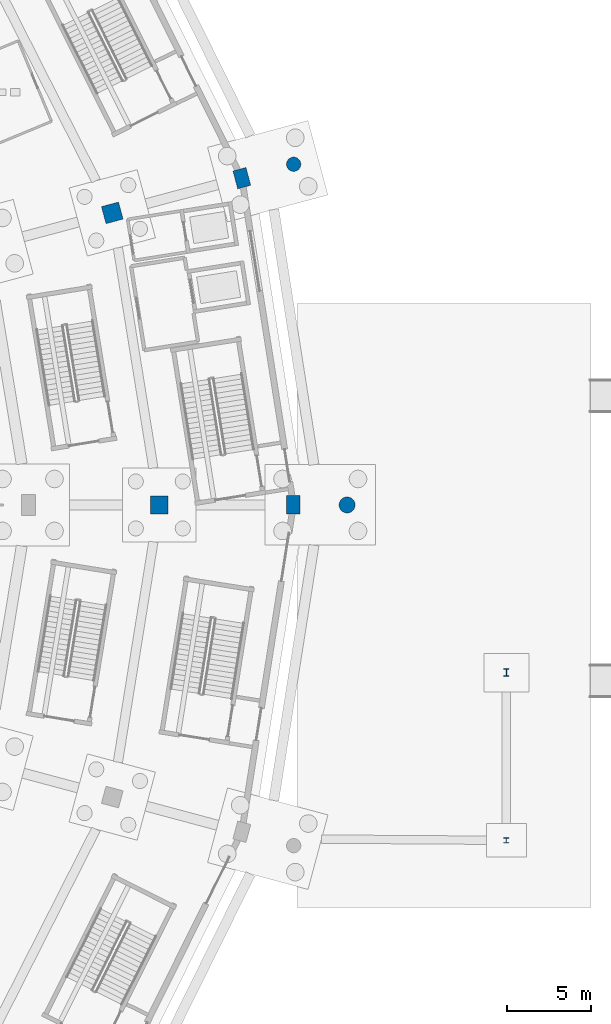
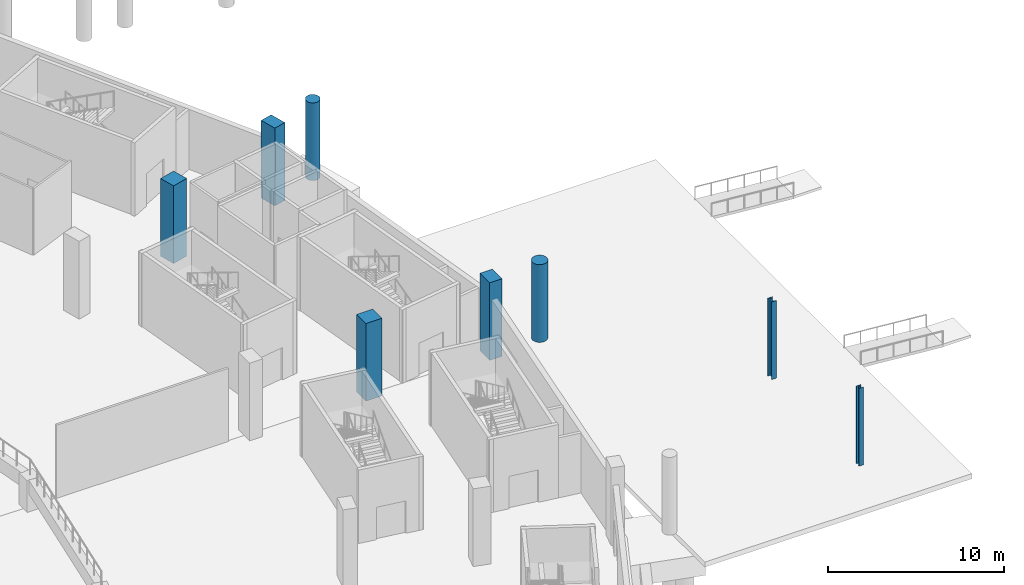
# One storey, part 21 of 103: 8 columns.
"""IFC4 building model written with IfcOpenShell, lengths in metres."""

import ifcopenshell
import ifcopenshell.guid

model = None  # the IFC model being written
_history = None  # IfcOwnerHistory: only IFC2X3 demands one
_inside = {}  # id of a spatial element -> (the spatial element, [elements in it])
_under = {}  # id of a project, library or spatial element -> (it, [spatial elements below it])
_declared = {}  # id of a project -> (the project, [libraries it declares])
_typed = {}  # id of a type object -> (the type object, [elements of that type])
_made_of = {}  # id of a material, layer set ... -> (it, [elements and type objects made of it])


def new_model(schema):
    """Start an empty IFC model of exactly this schema.

    Asked for "IFC4X3", IfcOpenShell would pick the latest addendum, in which some entities
    have other attributes; the version numbers below select the first issue.
    IFC2X3 requires an IfcOwnerHistory on every rooted entity: one is made here for all.
    """
    global model, _history
    if schema == "IFC4X3":
        model = ifcopenshell.file(schema_version=(4, 3, 0, 0))
    else:
        model = ifcopenshell.file(schema=schema)
    _inside.clear()
    _under.clear()
    _declared.clear()
    _typed.clear()
    _made_of.clear()
    _history = None
    if model.schema == "IFC2X3":
        org = make("IfcOrganization", Name="unknown")
        user = make(
            "IfcPersonAndOrganization",
            ThePerson=make("IfcPerson", FamilyName="unknown"),
            TheOrganization=org,
        )
        app = make(
            "IfcApplication",
            ApplicationDeveloper=org,
            Version="unknown",
            ApplicationFullName="unknown",
            ApplicationIdentifier="unknown",
        )
        _history = make(
            "IfcOwnerHistory",
            OwningUser=user,
            OwningApplication=app,
            ChangeAction="ADDED",
            CreationDate=0,
        )
    return model


def make(cls, **values):
    """One entity of the class cls with the attributes given. An attribute that is None is left unset."""
    return model.create_entity(
        cls, **{name: value for name, value in values.items() if value is not None}
    )


def rooted(cls, **values):
    """An entity with a GlobalId (a new one), such as an element, a storey or a relation."""
    return make(cls, GlobalId=ifcopenshell.guid.new(), OwnerHistory=_history, **values)


def si_unit(unit_type, name, prefix=None):
    """IfcSIUnit, for example si_unit("LENGTHUNIT", "METRE", prefix="MILLI")."""
    return make("IfcSIUnit", UnitType=unit_type, Prefix=prefix, Name=name)


def assignment(units):
    """IfcUnitAssignment: the units of a project."""
    return None if units is None else make("IfcUnitAssignment", Units=units)


def point(xyz):
    """IfcCartesianPoint."""
    return None if xyz is None else make("IfcCartesianPoint", Coordinates=xyz)


def direction(xyz):
    """IfcDirection."""
    return None if xyz is None else make("IfcDirection", DirectionRatios=xyz)


def frame(location, z_axis=None, x_axis=None):
    """IfcAxis2Placement3D, a coordinate frame: its origin and axes. An axis left out is left unset."""
    return make(
        "IfcAxis2Placement3D",
        Location=point(location),
        Axis=direction(z_axis),
        RefDirection=direction(x_axis),
    )


def frame_2d(location, x_axis=None):
    """IfcAxis2Placement2D, a coordinate frame in the plane: its origin and x axis."""
    return make(
        "IfcAxis2Placement2D", Location=point(location), RefDirection=direction(x_axis)
    )


def origin():
    """The frame at (0, 0, 0) with its axes left unset."""
    return frame((0.0, 0.0, 0.0))


def origin_2d():
    """The frame at (0, 0) in the plane with its x axis left unset."""
    return frame_2d((0.0, 0.0))


def place(relative_to, where):
    """IfcLocalPlacement: puts the frame where relative to a parent placement (None: the world)."""
    return make(
        "IfcLocalPlacement", PlacementRelTo=relative_to, RelativePlacement=where
    )


def context(
    kind, dimensions, precision=None, world=None, true_north=None, identifier=None
):
    """IfcGeometricRepresentationContext, for example the 3D "Model" context."""
    return make(
        "IfcGeometricRepresentationContext",
        ContextIdentifier=identifier,
        ContextType=kind,
        CoordinateSpaceDimension=dimensions,
        Precision=precision,
        WorldCoordinateSystem=world,
        TrueNorth=true_north,
    )


def subcontext(parent, identifier, kind, view, scale=None):
    """IfcGeometricRepresentationSubContext, for example "Body" below "Model"."""
    return make(
        "IfcGeometricRepresentationSubContext",
        ContextIdentifier=identifier,
        ContextType=kind,
        ParentContext=parent,
        TargetScale=scale,
        TargetView=view,
    )


def project(units=None, contexts=None):
    """IfcProject with its units and contexts."""
    return rooted(
        "IfcProject",
        Name="project",
        RepresentationContexts=contexts,
        UnitsInContext=assignment(units),
    )


def spatial(cls, under=None, at=None, **own):
    """A site, building, storey or space (cls), placed at a placement, below another one or the project."""
    s = rooted(cls, ObjectPlacement=at, **own)
    if under is not None:
        _under.setdefault(under.id(), (under, []))[1].append(s)
    return s


def profile(cls, at=None, kind="AREA", **sizes):
    """A parametric profile (cls). Its sizes go by their IFC names, for example OverallWidth=200.0."""
    return make(cls, ProfileType=kind, Position=at, **sizes)


def rectangle(**sizes):
    """IfcRectangleProfileDef."""
    return profile("IfcRectangleProfileDef", **sizes)


def circle(**sizes):
    """IfcCircleProfileDef."""
    return profile("IfcCircleProfileDef", **sizes)


def i_section(**sizes):
    """IfcIShapeProfileDef."""
    return profile("IfcIShapeProfileDef", **sizes)


def extrude(swept, where, along, depth):
    """IfcExtrudedAreaSolid: the profile swept, set in the frame where, extruded along a direction by depth."""
    return make(
        "IfcExtrudedAreaSolid",
        SweptArea=swept,
        Position=where,
        ExtrudedDirection=direction(along),
        Depth=depth,
    )


def shape(context_of_items, identifier, shape_type, items):
    """IfcShapeRepresentation: the items that make up one representation, for example the "Body"."""
    return make(
        "IfcShapeRepresentation",
        ContextOfItems=context_of_items,
        RepresentationIdentifier=identifier,
        RepresentationType=shape_type,
        Items=items,
    )


def material(Name=None, Category=None):
    """IfcMaterial."""
    return make("IfcMaterial", Name=Name, Category=Category)


def material_profile(
    of_material, cross_section, Name=None, Category=None, Priority=None
):
    """IfcMaterialProfile: a cross section and its material."""
    return make(
        "IfcMaterialProfile",
        Name=Name,
        Material=of_material,
        Profile=cross_section,
        Priority=Priority,
        Category=Category,
    )


def profile_set(profiles, Name=None, composite=None):
    """IfcMaterialProfileSet."""
    return make(
        "IfcMaterialProfileSet",
        Name=Name,
        MaterialProfiles=profiles,
        CompositeProfile=composite,
    )


def made_of(thing, what):
    """Note that an element or type object is made of a material, layer set ...; save() writes the relation."""
    if what is not None:
        _made_of.setdefault(what.id(), (what, []))[1].append(thing)
    return thing


def type_object(cls, material=None, **own):
    """A type object (cls), such as IfcWallType, which elements share."""
    return made_of(rooted(cls, **own), material)


def element(
    cls,
    number,
    at=None,
    inside=None,
    cuts=None,
    type_object=None,
    material=None,
    context=None,
    identifier="Body",
    shape_type=None,
    held_by="IfcProductDefinitionShape",
    body=None,
    shapes=None,
    **own,
):
    """One element of the class cls, such as IfcWall. Its Tag is "e" and its number.

    at: its placement. inside: the storey or other place that contains it. cuts: it is an
    opening in that element (IfcRelVoidsElement). A single representation is given by context,
    identifier, shape_type and body (its items); several are given by shapes. held_by: the class
    of the entity that holds the representations. save() writes the other relations.
    """
    e = rooted(cls, Tag="e%d" % number, ObjectPlacement=at, **own)
    if body is not None:
        shapes = [shape(context, identifier, shape_type, body)]
    if shapes is not None:
        e.Representation = make(held_by, Representations=shapes)
    if inside is not None:
        _inside.setdefault(inside.id(), (inside, []))[1].append(e)
    if cuts is not None:
        rooted(
            "IfcRelVoidsElement", RelatingBuildingElement=cuts, RelatedOpeningElement=e
        )
    if type_object is not None:
        _typed.setdefault(type_object.id(), (type_object, []))[1].append(e)
    return made_of(e, material)


def aggregate(whole, parts):
    """IfcRelAggregates: a whole, such as a stair, and the parts it consists of."""
    return rooted("IfcRelAggregates", RelatingObject=whole, RelatedObjects=parts)


def save(model, path):
    """Write the relations noted so far, then the file.

    IfcRelAggregates (storeys below a building ...), IfcRelContainedInSpatialStructure (elements
    in a storey), IfcRelDefinesByType, IfcRelAssociatesMaterial and IfcRelDeclares: one each for
    every whole, place, type object, material and project.
    """
    for whole, parts in _under.values():
        aggregate(whole, parts)
    for where, things in _inside.values():
        rooted(
            "IfcRelContainedInSpatialStructure",
            RelatedElements=things,
            RelatingStructure=where,
        )
    for kind, things in _typed.values():
        rooted("IfcRelDefinesByType", RelatedObjects=things, RelatingType=kind)
    for what, things in _made_of.values():
        rooted("IfcRelAssociatesMaterial", RelatedObjects=things, RelatingMaterial=what)
    for by, libraries in _declared.values():
        rooted("IfcRelDeclares", RelatingContext=by, RelatedDefinitions=libraries)
    model.write(path)


model = new_model("IFC4")

# Units and contexts
model_context = context("Model", 3, precision=1e-05, world=origin(), true_north=direction((0.0, 1.0)))
body_context = subcontext(model_context, "Body", "Model", "MODEL_VIEW")
ifc_project = project(units=[si_unit("LENGTHUNIT", "METRE"), si_unit("AREAUNIT", "SQUARE_METRE"), si_unit("VOLUMEUNIT", "CUBIC_METRE"), si_unit("PLANEANGLEUNIT", "RADIAN"), si_unit("MASSUNIT", "GRAM", prefix="KILO")], contexts=[model_context])

# Site, building, storey
site_placement = place(None, origin())
site = spatial("IfcSite", under=ifc_project, at=site_placement, CompositionType="ELEMENT")
building_placement = place(site_placement, origin())
building = spatial("IfcBuilding", under=site, at=building_placement, Name="Zevraka Park Crest Stadium", CompositionType="ELEMENT")
storey_placement = place(building_placement, origin())
storey = spatial("IfcBuildingStorey", under=building, at=storey_placement, Name="L00", CompositionType="ELEMENT", Elevation=0.0)

# Columns
ifc_material_1 = material(Name="Concrete C40/50", Category="concrete")
ifc_material_profile_1 = material_profile(ifc_material_1, rectangle(XDim=0.800048828125, YDim=1.10009765625, at=origin_2d()), Name="RC 1100x800")
ifc_profile_set_1 = profile_set([ifc_material_profile_1], Name="Concrete C40/50")
column_type_1 = type_object("IfcColumnType", Name="C02", PredefinedType="COLUMN", material=ifc_profile_set_1)
for number, where, z_axis, x_axis, name in (
    (1, (202.300048828125, 92.0, 0.0), (0.0, 0.0, 1.0), (1.0, 0.0, 0.0), "Perimeter Ring Column C02 L00-D-00"),
    (2, (199.222900390625, 111.489013671875, 0.0), (0.0, 0.0, 1.0), (0.965925826289, 0.258819045103, 0.0), "Perimeter Ring Column C02 L00-D-01"),
):
    element("IfcColumn", number, at=place(storey_placement, frame(where, z_axis=z_axis, x_axis=x_axis)), inside=storey, type_object=column_type_1, Name=name, PredefinedType="COLUMN", context=body_context, shape_type="SweptSolid", body=[
        extrude(rectangle(XDim=0.800048828125, YDim=1.10009765625, at=origin_2d()), origin(), (0.0, 0.0, 1.0), 5.39990234375),
    ])
ifc_material_2 = material(Name="Concrete C40/50", Category="concrete")
ifc_material_profile_2 = material_profile(ifc_material_2, rectangle(XDim=1.050048828125, YDim=1.050048828125, at=origin_2d()), Name="RC 1050x1050")
ifc_profile_set_2 = profile_set([ifc_material_profile_2], Name="Concrete C40/50")
column_type_2 = type_object("IfcColumnType", Name="C03", PredefinedType="COLUMN", material=ifc_profile_set_2)
for number, where, z_axis, x_axis, name in (
    (3, (194.300048828125, 92.0, 0.0), (0.0, 0.0, 1.0), (1.0, 0.0, 0.0), "Concourse Mid Column C03 L00-C-00"),
    (4, (191.49609375, 109.4189453125, 0.0), (0.0, 0.0, 1.0), (0.965925826289, 0.258819045103, 0.0), "Concourse Mid Column C03 L00-C-01"),
):
    element("IfcColumn", number, at=place(storey_placement, frame(where, z_axis=z_axis, x_axis=x_axis)), inside=storey, type_object=column_type_2, Name=name, PredefinedType="COLUMN", context=body_context, shape_type="SweptSolid", body=[
        extrude(rectangle(XDim=1.050048828125, YDim=1.050048828125, at=origin_2d()), origin(), (0.0, 0.0, 1.0), 5.39990234375),
    ])
ifc_material_3 = material(Name="Concrete C40/50", Category="concrete")
ifc_material_profile_3 = material_profile(ifc_material_3, circle(Radius=0.425048828125, at=origin_2d()), Name="RC D850")
ifc_profile_set_3 = profile_set([ifc_material_profile_3], Name="Concrete C40/50")
column_type_3 = type_object("IfcColumnType", Name="C06", PredefinedType="COLUMN", material=ifc_profile_set_3)
column_1_placement = place(storey_placement, frame((202.31396484375, 112.31689453125, 0.0), z_axis=(0.0, 0.0, 1.0), x_axis=(1.0, 0.0, 0.0)))
element("IfcColumn", 5, at=column_1_placement, inside=storey, type_object=column_type_3, Name="Arcade Cumba Column C06 L00-E-01", PredefinedType="COLUMN", context=body_context, shape_type="SweptSolid", body=[
    extrude(circle(Radius=0.425048828125, at=origin_2d()), origin(), (0.0, 0.0, 1.0), 5.39990234375),
])
ifc_material_4 = material(Name="Steel S355", Category="steel")
ifc_material_profile_4 = material_profile(ifc_material_4, i_section(OverallWidth=0.300048828125, OverallDepth=0.449951171875, WebThickness=0.013916015625, FlangeThickness=0.02587890625, at=origin_2d()), Name="HEB 450")
ifc_profile_set_4 = profile_set([ifc_material_profile_4], Name="Steel S355")
column_type_4 = type_object("IfcColumnType", Name="C08", PredefinedType="COLUMN", material=ifc_profile_set_4)
column_2_placement = place(storey_placement, frame((215.0, 82.0, 0.0), z_axis=(0.0, 0.0, 1.0), x_axis=(1.0, 0.0, 0.0)))
element("IfcColumn", 6, at=column_2_placement, inside=storey, type_object=column_type_4, Name="Colonnade Post C08 PAD-E2", PredefinedType="COLUMN", context=body_context, shape_type="SweptSolid", body=[
    extrude(i_section(OverallWidth=0.300048828125, OverallDepth=0.449951171875, WebThickness=0.013916015625, FlangeThickness=0.02587890625, at=origin_2d()), origin(), (0.0, 0.0, 1.0), 5.39990234375),
])
ifc_material_5 = material(Name="Steel S355", Category="steel")
ifc_material_profile_5 = material_profile(ifc_material_5, i_section(OverallWidth=0.300048828125, OverallDepth=0.300048828125, WebThickness=0.010986328125, FlangeThickness=0.01904296875, at=origin_2d()), Name="HEB 300")
ifc_profile_set_5 = profile_set([ifc_material_profile_5], Name="Steel S355")
column_type_5 = type_object("IfcColumnType", Name="C09", PredefinedType="COLUMN", material=ifc_profile_set_5)
column_3_placement = place(storey_placement, frame((215.0, 72.0, 0.0), z_axis=(0.0, 0.0, 1.0), x_axis=(1.0, 0.0, 0.0)))
element("IfcColumn", 7, at=column_3_placement, inside=storey, type_object=column_type_5, Name="Colonnade Post C09 PAD-E1", PredefinedType="COLUMN", context=body_context, shape_type="SweptSolid", body=[
    extrude(i_section(OverallWidth=0.300048828125, OverallDepth=0.300048828125, WebThickness=0.010986328125, FlangeThickness=0.01904296875, at=origin_2d()), origin(), (0.0, 0.0, 1.0), 5.39990234375),
])
ifc_material_6 = material(Name="Concrete C40/50", Category="concrete")
ifc_material_profile_6 = material_profile(ifc_material_6, circle(Radius=0.47509765625, at=origin_2d()), Name="RC D950")
ifc_profile_set_6 = profile_set([ifc_material_profile_6], Name="Concrete C40/50")
column_type_6 = type_object("IfcColumnType", Name="C12", PredefinedType="COLUMN", material=ifc_profile_set_6)
column_4_placement = place(storey_placement, frame((205.5, 92.0, 0.0), z_axis=(0.0, 0.0, 1.0), x_axis=(1.0, 0.0, 0.0)))
element("IfcColumn", 8, at=column_4_placement, inside=storey, type_object=column_type_6, Name="Arcade Cumba Column C12 L00-E-00", PredefinedType="COLUMN", context=body_context, shape_type="SweptSolid", body=[
    extrude(circle(Radius=0.47509765625, at=origin_2d()), origin(), (0.0, 0.0, 1.0), 5.39990234375),
])

save(model, "model.ifc")
